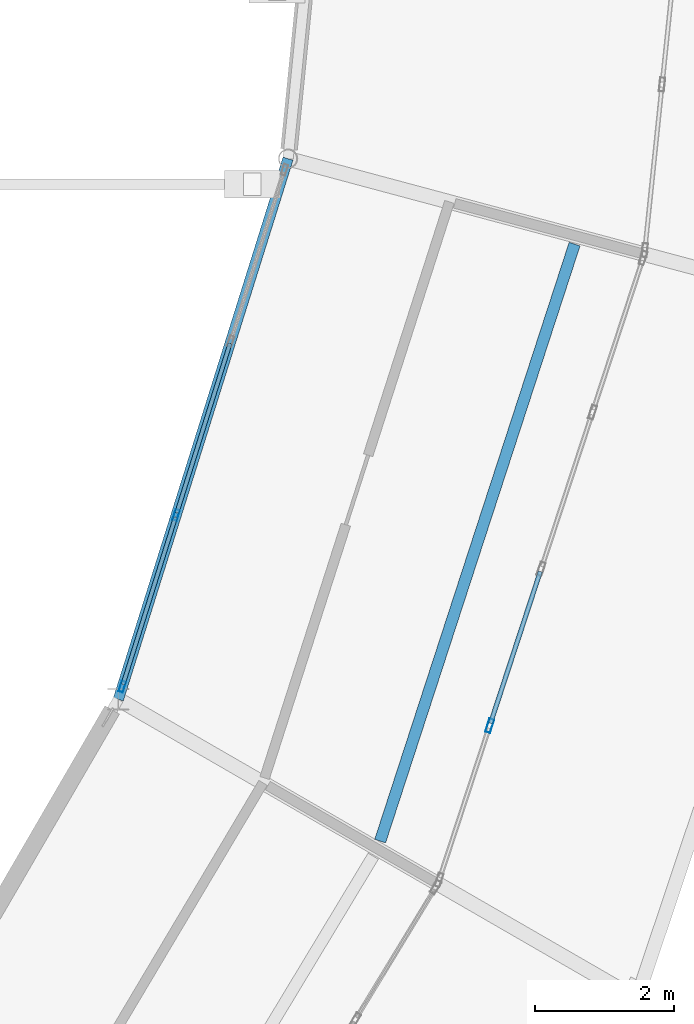
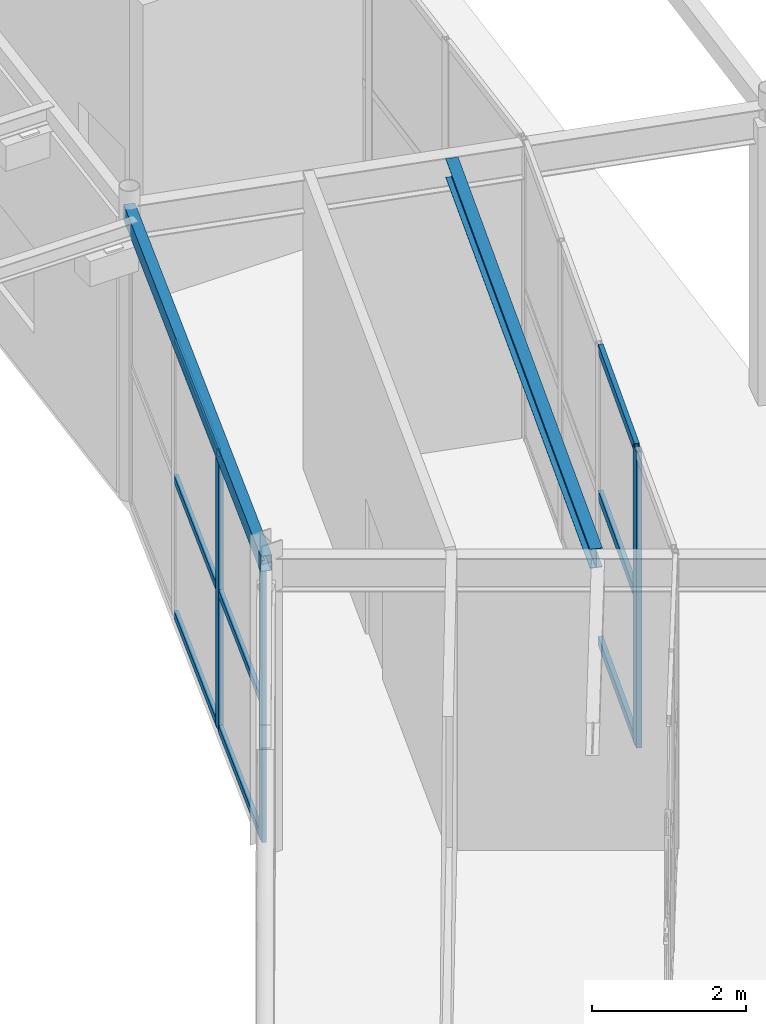
# One storey, part 62 of 144: 12 members, 2 beams, 2 elements without a shape of their own.
"""IFC4 building model written with IfcOpenShell, lengths in metres."""

from ifc_helpers import new_model, si_unit, direction, frame, origin, origin_2d, place, context, subcontext, project, spatial, hollow_rectangle, i_section, extrude, material, material_profile, profile_set, type_object, element, aggregate, save


model = new_model("IFC4")

# Units and contexts
model_context = context("Model", 3, precision=1e-05, world=origin(), true_north=direction((0.0, 1.0)))
body_context = subcontext(model_context, "Body", "Model", "MODEL_VIEW")
ifc_project = project(units=[si_unit("LENGTHUNIT", "METRE"), si_unit("AREAUNIT", "SQUARE_METRE"), si_unit("VOLUMEUNIT", "CUBIC_METRE"), si_unit("PLANEANGLEUNIT", "RADIAN"), si_unit("MASSUNIT", "GRAM", prefix="KILO")], contexts=[model_context])

# Site, building, storey
site_placement = place(None, origin())
site = spatial("IfcSite", under=ifc_project, at=site_placement, CompositionType="ELEMENT")
building_placement = place(site_placement, origin())
building = spatial("IfcBuilding", under=site, at=building_placement, Name="Karori Crest Natural Sciences Institute", CompositionType="ELEMENT")
storey_placement = place(building_placement, origin())
storey = spatial("IfcBuildingStorey", under=building, at=storey_placement, Name="L00", CompositionType="ELEMENT", Elevation=0.0)

# Beams
ifc_material_1 = material(Name="Structural steel AS/NZS 3679.1 Grade 350", Category="steel")
ifc_material_profile_1 = material_profile(ifc_material_1, i_section(OverallWidth=0.1650390625, OverallDepth=0.303955078125, WebThickness=0.006103515625, FlangeThickness=0.01025390625, FilletRadius=0.010986328125, at=origin_2d()), Name="310UB40.4")
ifc_profile_set_1 = profile_set([ifc_material_profile_1], Name="Structural steel AS/NZS 3679.1 Grade 350")
beam_type_1 = type_object("IfcBeamType", Name="BT-10", PredefinedType="BEAM", material=ifc_profile_set_1)
beam_1_placement = place(storey_placement, frame((91.2919921875, 31.76416015625, 4.488037109375), z_axis=(0.309698753032, 0.950834729262, 0.0), x_axis=(-0.950834729262, 0.309698753032, 0.0)))
element("IfcBeam", 1, at=beam_1_placement, inside=storey, type_object=beam_type_1, Name="Beam B-0177", PredefinedType="BEAM", context=body_context, shape_type="SweptSolid", body=[
    extrude(i_section(OverallWidth=0.1650390625, OverallDepth=0.303955078125, WebThickness=0.006103515625, FlangeThickness=0.01025390625, FilletRadius=0.010986328125, at=origin_2d()), origin(), (0.0, 0.0, 1.0), 9.018310546875),
])
ifc_material_2 = material(Name="Hollow structural steel AS/NZS 1163 Grade C350", Category="steel")
ifc_material_profile_2 = material_profile(ifc_material_2, hollow_rectangle(XDim=0.14990234375, YDim=0.25, WallThickness=0.009033203125, at=origin_2d()), Name="RHS250x150x9")
ifc_profile_set_2 = profile_set([ifc_material_profile_2], Name="Hollow structural steel AS/NZS 1163 Grade C350")
beam_type_2 = type_object("IfcBeamType", Name="BT-16", PredefinedType="SPANDREL", material=ifc_profile_set_2)
beam_2_placement = place(storey_placement, frame((87.531005859375, 33.800048828125, 4.489990234375), z_axis=(0.299468576182, 0.954106163841, 0.0), x_axis=(-0.954106163841, 0.299468576182, 0.0)))
element("IfcBeam", 2, at=beam_2_placement, inside=storey, type_object=beam_type_2, Name="Beam B-0175", PredefinedType="SPANDREL", context=body_context, shape_type="SweptSolid", body=[
    extrude(hollow_rectangle(XDim=0.14990234375, YDim=0.25, WallThickness=0.009033203125, at=origin_2d()), origin(), (0.0, 0.0, 1.0), 8.139404296875),
])

# Curtain wall, members
ifc_material_3 = material(Name="Anodised architectural aluminium 6063-T6", Category="aluminium")
curtain_wall_type_1 = type_object("IfcCurtainWallType", Name="CWT-13", PredefinedType="NOTDEFINED", material=ifc_material_3)
curtain_wall_1_placement = place(storey_placement, origin())
curtain_wall_1 = element("IfcCurtainWall", 3, at=curtain_wall_1_placement, inside=storey, type_object=curtain_wall_type_1, Name="Curtain wall CW-0029", PredefinedType="NOTDEFINED")
ifc_material_profile_3 = material_profile(ifc_material_3, hollow_rectangle(XDim=0.06494140625, YDim=0.159912109375, WallThickness=0.00390625, at=origin_2d()), Name="CWM160x65x4")
ifc_profile_set_3 = profile_set([ifc_material_profile_3], Name="Anodised architectural aluminium 6063-T6")
member_type_1 = type_object("IfcMemberType", Name="CWM-01", PredefinedType="MULLION", material=ifc_profile_set_3)
member_1_placement = place(storey_placement, frame((87.58837890625, 33.983154296875, 0.0), z_axis=(0.0, 0.0, 1.0), x_axis=(-0.954103649609, 0.2994765864, 0.0)))
member_1 = element("IfcMember", 4, at=member_1_placement, type_object=member_type_1, Name="CW-0029 mullion 1", PredefinedType="MULLION", context=body_context, shape_type="SweptSolid", body=[
    extrude(hollow_rectangle(XDim=0.06494140625, YDim=0.159912109375, WallThickness=0.00390625, at=origin_2d()), origin(), (0.0, 0.0, 1.0), 4.35009765625),
])
member_2_placement = place(storey_placement, frame((88.36181640625, 36.447265625, 0.0), z_axis=(0.0, 0.0, 1.0), x_axis=(-0.954103649609, 0.2994765864, 0.0)))
member_2 = element("IfcMember", 5, at=member_2_placement, type_object=member_type_1, Name="CW-0029 mullion 2", PredefinedType="MULLION", context=body_context, shape_type="SweptSolid", body=[
    extrude(hollow_rectangle(XDim=0.06494140625, YDim=0.159912109375, WallThickness=0.00390625, at=origin_2d()), origin(), (0.0, 0.0, 1.0), 4.35009765625),
])

# Curtain wall, member
curtain_wall_type_2 = type_object("IfcCurtainWallType", Name="CWT-03", PredefinedType="NOTDEFINED", material=ifc_material_3)
curtain_wall_2_placement = place(storey_placement, origin())
curtain_wall_2 = element("IfcCurtainWall", 6, at=curtain_wall_2_placement, inside=storey, type_object=curtain_wall_type_2, Name="Curtain wall CW-0028", PredefinedType="NOTDEFINED")
ifc_material_profile_4 = material_profile(ifc_material_3, hollow_rectangle(XDim=0.074951171875, YDim=0.199951171875, WallThickness=0.0048828125, at=origin_2d()), Name="CWM200x75x5")
ifc_profile_set_4 = profile_set([ifc_material_profile_4], Name="Anodised architectural aluminium 6063-T6")
member_type_2 = type_object("IfcMemberType", Name="CWM-02", PredefinedType="MULLION", material=ifc_profile_set_4)
member_3_placement = place(storey_placement, frame((92.865966796875, 33.420654296875, 0.0), z_axis=(0.0, 0.0, 1.0), x_axis=(0.950175969879, -0.311714013584, 0.0)))
member_3 = element("IfcMember", 7, at=member_3_placement, type_object=member_type_2, Name="CW-0028 mullion 4", PredefinedType="MULLION", context=body_context, shape_type="SweptSolid", body=[
    extrude(hollow_rectangle(XDim=0.074951171875, YDim=0.199951171875, WallThickness=0.0048828125, at=origin_2d()), origin(), (0.0, 0.0, 1.0), 4.679931640625),
])

# Member
ifc_material_profile_5 = material_profile(ifc_material_3, hollow_rectangle(XDim=0.06005859375, YDim=0.1201171875, WallThickness=0.00390625, at=origin_2d()), Name="CWT120x60x4")
ifc_profile_set_5 = profile_set([ifc_material_profile_5], Name="Anodised architectural aluminium 6063-T6")
member_type_3 = type_object("IfcMemberType", Name="CWT-TR1", PredefinedType="USERDEFINED", material=ifc_profile_set_5)
member_4_placement = place(storey_placement, frame((87.59814453125, 34.01416015625, 0.030029296875), z_axis=(0.299450859361, 0.9541117245, 0.0), x_axis=(-0.9541117245, 0.299450859361, 0.0)))
member_4 = element("IfcMember", 8, at=member_4_placement, type_object=member_type_3, Name="CW-0029 transom 1.1", ObjectType="TRANSOM", PredefinedType="USERDEFINED", context=body_context, shape_type="SweptSolid", body=[
    extrude(hollow_rectangle(XDim=0.06005859375, YDim=0.1201171875, WallThickness=0.00390625, at=origin_2d()), origin(), (0.0, 0.0, 1.0), 2.517578125),
])

member_5_placement = place(storey_placement, frame((87.59814453125, 34.01416015625, 2.175048828125), z_axis=(0.299450859361, 0.9541117245, 0.0), x_axis=(-0.9541117245, 0.299450859361, 0.0)))
member_5 = element("IfcMember", 9, at=member_5_placement, type_object=member_type_3, Name="CW-0029 transom 1.2", ObjectType="TRANSOM", PredefinedType="USERDEFINED", context=body_context, shape_type="SweptSolid", body=[
    extrude(hollow_rectangle(XDim=0.06005859375, YDim=0.1201171875, WallThickness=0.00390625, at=origin_2d()), origin(), (0.0, 0.0, 1.0), 2.517578125),
])

member_6_placement = place(storey_placement, frame((87.59814453125, 34.01416015625, 4.320068359375), z_axis=(0.299450859361, 0.9541117245, 0.0), x_axis=(-0.9541117245, 0.299450859361, 0.0)))
member_6 = element("IfcMember", 10, at=member_6_placement, type_object=member_type_3, Name="CW-0029 transom 1.3", ObjectType="TRANSOM", PredefinedType="USERDEFINED", context=body_context, shape_type="SweptSolid", body=[
    extrude(hollow_rectangle(XDim=0.06005859375, YDim=0.1201171875, WallThickness=0.00390625, at=origin_2d()), origin(), (0.0, 0.0, 1.0), 2.517578125),
])

member_7_placement = place(storey_placement, frame((88.37158203125, 36.478271484375, 0.030029296875), z_axis=(0.299463118482, 0.954107876851, 0.0), x_axis=(-0.954107876851, 0.299463118482, 0.0)))
member_7 = element("IfcMember", 11, at=member_7_placement, type_object=member_type_3, Name="CW-0029 transom 2.1", ObjectType="TRANSOM", PredefinedType="USERDEFINED", context=body_context, shape_type="SweptSolid", body=[
    extrude(hollow_rectangle(XDim=0.06005859375, YDim=0.1201171875, WallThickness=0.00390625, at=origin_2d()), origin(), (0.0, 0.0, 1.0), 2.550048828125),
])

member_8_placement = place(storey_placement, frame((88.37158203125, 36.478271484375, 2.175048828125), z_axis=(0.299463118482, 0.954107876851, 0.0), x_axis=(-0.954107876851, 0.299463118482, 0.0)))
member_8 = element("IfcMember", 12, at=member_8_placement, type_object=member_type_3, Name="CW-0029 transom 2.2", ObjectType="TRANSOM", PredefinedType="USERDEFINED", context=body_context, shape_type="SweptSolid", body=[
    extrude(hollow_rectangle(XDim=0.06005859375, YDim=0.1201171875, WallThickness=0.00390625, at=origin_2d()), origin(), (0.0, 0.0, 1.0), 2.550048828125),
])

member_9_placement = place(storey_placement, frame((88.37158203125, 36.478271484375, 4.320068359375), z_axis=(0.299463118482, 0.954107876851, 0.0), x_axis=(-0.954107876851, 0.299463118482, 0.0)))
member_9 = element("IfcMember", 13, at=member_9_placement, type_object=member_type_3, Name="CW-0029 transom 2.3", ObjectType="TRANSOM", PredefinedType="USERDEFINED", context=body_context, shape_type="SweptSolid", body=[
    extrude(hollow_rectangle(XDim=0.06005859375, YDim=0.1201171875, WallThickness=0.00390625, at=origin_2d()), origin(), (0.0, 0.0, 1.0), 2.550048828125),
])

aggregate(curtain_wall_1, [member_1, member_2, member_4, member_5, member_6, member_7, member_8, member_9])

ifc_material_profile_6 = material_profile(ifc_material_3, hollow_rectangle(XDim=0.06494140625, YDim=0.14990234375, WallThickness=0.00390625, at=origin_2d()), Name="CWT150x65x4")
ifc_profile_set_6 = profile_set([ifc_material_profile_6], Name="Anodised architectural aluminium 6063-T6")
member_type_4 = type_object("IfcMemberType", Name="CWT-TR2", PredefinedType="USERDEFINED", material=ifc_profile_set_6)
member_10_placement = place(storey_placement, frame((93.5927734375, 35.636474609375, 0.032470703125), z_axis=(-0.311755408657, -0.950162388844, 0.0), x_axis=(0.950162388844, -0.311755408657, 0.0)))
member_10 = element("IfcMember", 14, at=member_10_placement, type_object=member_type_4, Name="CW-0028 transom 3.1", ObjectType="TRANSOM", PredefinedType="USERDEFINED", context=body_context, shape_type="SweptSolid", body=[
    extrude(hollow_rectangle(XDim=0.06494140625, YDim=0.14990234375, WallThickness=0.00390625, at=origin_2d()), origin(), (0.0, 0.0, 1.0), 2.29443359375),
])

member_11_placement = place(storey_placement, frame((93.5927734375, 35.636474609375, 2.340087890625), z_axis=(-0.311755408657, -0.950162388844, 0.0), x_axis=(0.950162388844, -0.311755408657, 0.0)))
member_11 = element("IfcMember", 15, at=member_11_placement, type_object=member_type_4, Name="CW-0028 transom 3.2", ObjectType="TRANSOM", PredefinedType="USERDEFINED", context=body_context, shape_type="SweptSolid", body=[
    extrude(hollow_rectangle(XDim=0.06494140625, YDim=0.14990234375, WallThickness=0.00390625, at=origin_2d()), origin(), (0.0, 0.0, 1.0), 2.29443359375),
])

member_12_placement = place(storey_placement, frame((93.5927734375, 35.636474609375, 4.6474609375), z_axis=(-0.311755408657, -0.950162388844, 0.0), x_axis=(0.950162388844, -0.311755408657, 0.0)))
member_12 = element("IfcMember", 16, at=member_12_placement, type_object=member_type_4, Name="CW-0028 transom 3.3", ObjectType="TRANSOM", PredefinedType="USERDEFINED", context=body_context, shape_type="SweptSolid", body=[
    extrude(hollow_rectangle(XDim=0.06494140625, YDim=0.14990234375, WallThickness=0.00390625, at=origin_2d()), origin(), (0.0, 0.0, 1.0), 2.29443359375),
])

aggregate(curtain_wall_2, [member_3, member_10, member_11, member_12])

save(model, "model.ifc")
